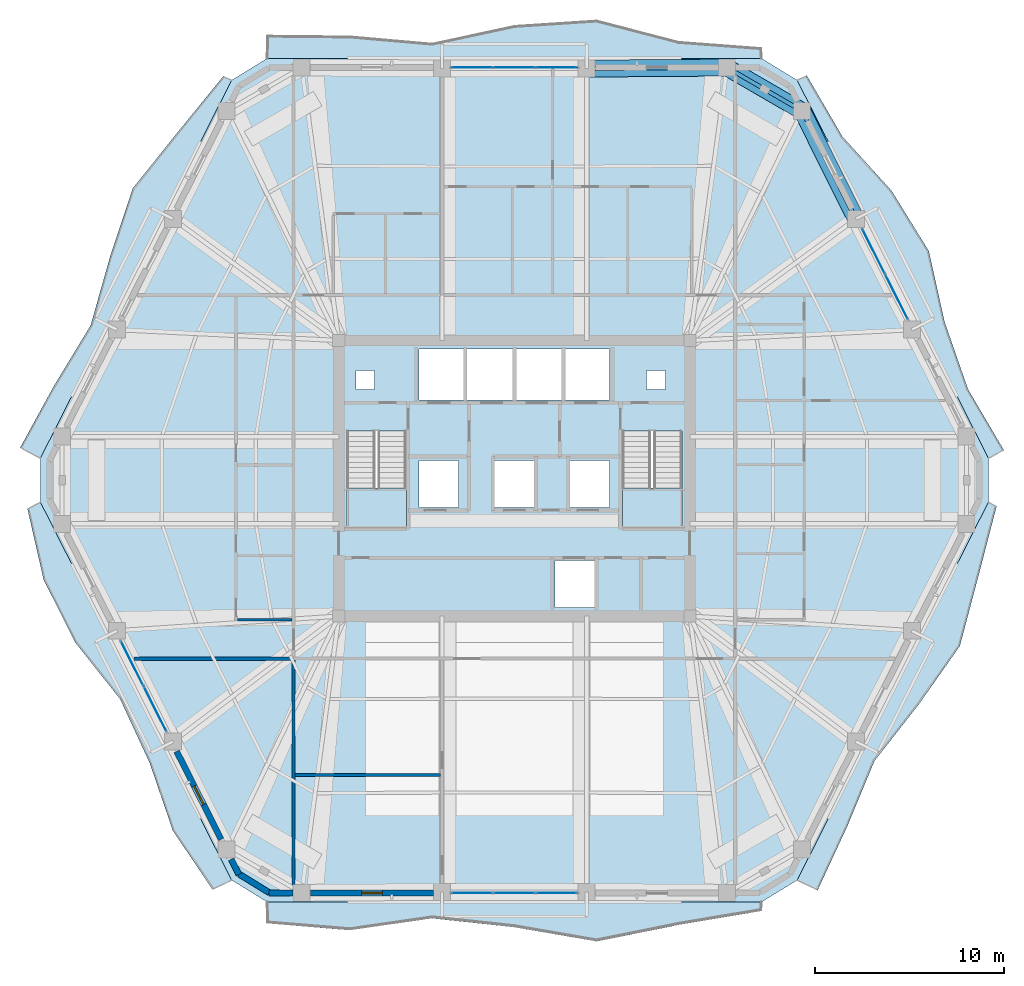
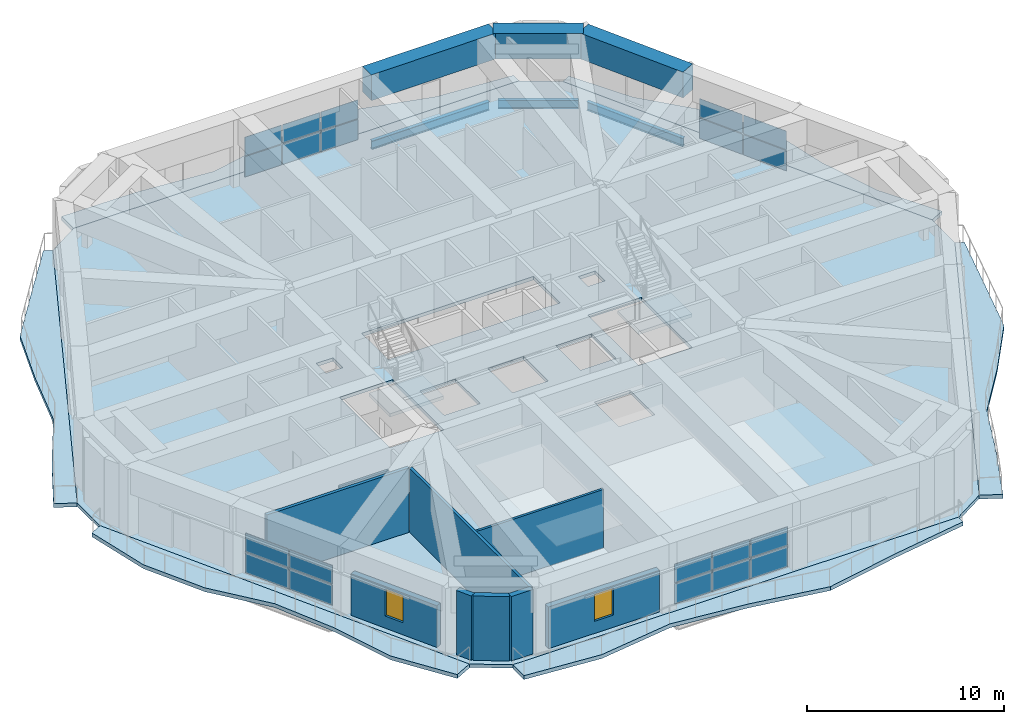
# One storey, part 12 of 20: 20 plates, 9 slabs, 9 walls, 6 beams, 2 windows, 2 openings, 6 elements without a shape of their own.
"""IFC4 building model written with IfcOpenShell, lengths in metres."""

from ifc_helpers import new_model, si_unit, direction, frame, frame_2d, origin, origin_2d, place, context, subcontext, project, spatial, polyline, rectangle, i_section, outline, extrude, material, layer, layer_set, material_profile, profile_set, type_object, element, fill, aggregate, save


model = new_model("IFC4")

# Units and contexts
model_context = context("Model", 3, precision=1e-05, world=origin(), true_north=direction((0.0, 1.0)))
body_context = subcontext(model_context, "Body", "Model", "MODEL_VIEW")
ifc_project = project(units=[si_unit("LENGTHUNIT", "METRE"), si_unit("AREAUNIT", "SQUARE_METRE"), si_unit("VOLUMEUNIT", "CUBIC_METRE"), si_unit("PLANEANGLEUNIT", "RADIAN"), si_unit("MASSUNIT", "GRAM", prefix="KILO")], contexts=[model_context])

# Site, building, storey
site_placement = place(None, origin())
site = spatial("IfcSite", under=ifc_project, at=site_placement, CompositionType="ELEMENT")
building_placement = place(site_placement, origin())
building = spatial("IfcBuilding", under=site, at=building_placement, Name="Cinnabar Lancet Tower", CompositionType="ELEMENT")
storey_placement = place(building_placement, frame((0.0, 0.0, 167.699951171875)))
storey = spatial("IfcBuildingStorey", under=building, at=storey_placement, Name="L44", CompositionType="ELEMENT", Elevation=167.699951171875)

# Beams
ifc_material_1 = material(Name="Concrete C70/85", Category="concrete")
ifc_material_profile_1 = material_profile(ifc_material_1, rectangle(XDim=0.89990234375, YDim=1.60009765625, at=origin_2d()), Name="RC-BG 900x1600")
ifc_profile_set_1 = profile_set([ifc_material_profile_1], Name="Concrete C70/85")
beam_type_1 = type_object("IfcBeamType", Name="STR-BM-BG-1600", PredefinedType="BEAM", material=ifc_profile_set_1)
beam_1_placement = place(storey_placement, frame((50.489013671875, 39.64501953125, 3.400146484375), z_axis=(-0.445405484245, 0.895328964462, 0.0), x_axis=(-0.895328964462, -0.445405484245, 0.0)))
element("IfcBeam", 1, at=beam_1_placement, inside=storey, type_object=beam_type_1, Name="L45 Setback Outer Ring Girder 11", PredefinedType="BEAM", context=body_context, shape_type="SweptSolid", body=[
    extrude(rectangle(XDim=0.89990234375, YDim=1.60009765625, at=origin_2d()), origin(), (0.0, 0.0, 1.0), 6.37646484375),
])
beam_2_placement = place(storey_placement, frame((47.64892578125, 45.35400390625, 3.400146484375), z_axis=(-0.865173038967, 0.501473441614, 0.0), x_axis=(-0.501473441614, -0.865173038967, 0.0)))
element("IfcBeam", 2, at=beam_2_placement, inside=storey, type_object=beam_type_1, Name="L45 Setback Outer Ring Girder 12", PredefinedType="BEAM", context=body_context, shape_type="SweptSolid", body=[
    extrude(rectangle(XDim=0.89990234375, YDim=1.60009765625, at=origin_2d()), origin(), (0.0, 0.0, 1.0), 4.60009765625),
])
beam_3_placement = place(storey_placement, frame((43.6689453125, 47.660888671875, 3.400146484375), z_axis=(-0.999974627917, -0.007123448699, 0.0), x_axis=(0.007123448699, -0.999974627917, 0.0)))
element("IfcBeam", 3, at=beam_3_placement, inside=storey, type_object=beam_type_1, Name="L45 Setback Outer Ring Girder 13", PredefinedType="BEAM", context=body_context, shape_type="SweptSolid", body=[
    extrude(rectangle(XDim=0.89990234375, YDim=1.60009765625, at=origin_2d()), origin(), (0.0, 0.0, 1.0), 7.437255859375),
])
ifc_material_2 = material(Name="Structural steel S355", Category="steel")
ifc_material_profile_2 = material_profile(ifc_material_2, i_section(OverallWidth=0.209228515625, OverallDepth=0.533203125, WebThickness=0.010009765625, FlangeThickness=0.015625, FilletRadius=0.0126953125, at=origin_2d()), Name="UKB 533x210x92")
ifc_profile_set_2 = profile_set([ifc_material_profile_2], Name="Structural steel S355")
beam_type_2 = type_object("IfcBeamType", Name="STR-BM-SPN-533", PredefinedType="SPANDREL", material=ifc_profile_set_2)
beam_4_placement = place(storey_placement, frame((50.3779296875, 39.868896484375, -0.47705078125), z_axis=(-0.445501068635, 0.89528140707, 0.0), x_axis=(-0.89528140707, -0.445501068635, 0.0)))
element("IfcBeam", 4, at=beam_4_placement, inside=storey, type_object=beam_type_2, Name="L44 Perimeter Spandrel 11", PredefinedType="SPANDREL", context=body_context, shape_type="SweptSolid", body=[
    extrude(i_section(OverallWidth=0.209228515625, OverallDepth=0.533203125, WebThickness=0.010009765625, FlangeThickness=0.015625, FilletRadius=0.0126953125, at=origin_2d()), origin(), (0.0, 0.0, 1.0), 5.87646484375),
])
beam_5_placement = place(storey_placement, frame((47.43310546875, 45.47900390625, -0.47705078125), z_axis=(-0.865138129765, 0.5015336643, 0.0), x_axis=(-0.5015336643, -0.865138129765, 0.0)))
element("IfcBeam", 5, at=beam_5_placement, inside=storey, type_object=beam_type_2, Name="L44 Perimeter Spandrel 12", PredefinedType="SPANDREL", context=body_context, shape_type="SweptSolid", body=[
    extrude(i_section(OverallWidth=0.209228515625, OverallDepth=0.533203125, WebThickness=0.010009765625, FlangeThickness=0.015625, FilletRadius=0.0126953125, at=origin_2d()), origin(), (0.0, 0.0, 1.0), 4.10107421875),
])
beam_6_placement = place(storey_placement, frame((43.4189453125, 47.658935546875, -0.47705078125), z_axis=(-0.999975228682, -0.007038609338, 0.0), x_axis=(0.007038609338, -0.999975228682, 0.0)))
element("IfcBeam", 6, at=beam_6_placement, inside=storey, type_object=beam_type_2, Name="L44 Perimeter Spandrel 13", PredefinedType="SPANDREL", context=body_context, shape_type="SweptSolid", body=[
    extrude(i_section(OverallWidth=0.209228515625, OverallDepth=0.533203125, WebThickness=0.010009765625, FlangeThickness=0.015625, FilletRadius=0.0126953125, at=origin_2d()), origin(), (0.0, 0.0, 1.0), 6.937255859375),
])

# Curtain wall, plates
ifc_material_3 = material(Name="Thermally broken bronze-anodized aluminium and low-E glass", Category="aluminium")
ifc_layer_1 = layer(ifc_material_3, 0.179931640625)
ifc_layer_set_1 = layer_set([ifc_layer_1], Name="Thermally broken bronze-anodized aluminium and low-E glass")
curtain_wall_type = type_object("IfcCurtainWallType", Name="ENV-CW-SYS-03", PredefinedType="NOTDEFINED", material=ifc_layer_set_1)
curtain_wall_1_placement = place(storey_placement, origin())
curtain_wall_1 = element("IfcCurtainWall", 7, at=curtain_wall_1_placement, inside=storey, type_object=curtain_wall_type, Name="L44 Face 1 Feature Curtain Wall", PredefinedType="NOTDEFINED")
ifc_material_4 = material(Name="Double-silver low-E laminated insulated glass unit", Category="glass")
ifc_layer_2 = layer(ifc_material_4, 0.031982421875)
ifc_layer_set_2 = layer_set([ifc_layer_2], Name="Double-silver low-E laminated insulated glass unit")
plate_type = type_object("IfcPlateType", Name="ENV-CW-PNL-32", PredefinedType="CURTAIN_PANEL", material=ifc_layer_set_2)
plate_1_placement = place(storey_placement, frame((30.1630859375, 3.929931640625, 0.06005859375), z_axis=(0.0, 0.0, 1.0), x_axis=(1.0, 0.0, 0.0)))
plate_1 = element("IfcPlate", 8, at=plate_1_placement, type_object=plate_type, Name="CW-03 panel 1.1", PredefinedType="CURTAIN_PANEL", context=body_context, shape_type="SweptSolid", body=[
    extrude(rectangle(XDim=2.162109375, YDim=0.028076171875, at=origin_2d()), origin(), (0.0, 0.0, 1.0), 1.257080078125),
])
plate_2_placement = place(storey_placement, frame((30.1630859375, 3.929931640625, 1.376953125), z_axis=(0.0, 0.0, 1.0), x_axis=(1.0, 0.0, 0.0)))
plate_2 = element("IfcPlate", 9, at=plate_2_placement, type_object=plate_type, Name="CW-03 panel 1.2", PredefinedType="CURTAIN_PANEL", context=body_context, shape_type="SweptSolid", body=[
    extrude(rectangle(XDim=2.162109375, YDim=0.028076171875, at=origin_2d()), origin(), (0.0, 0.0, 1.0), 1.153076171875),
])
plate_3_placement = place(storey_placement, frame((32.39990234375, 3.929931640625, 0.06005859375), z_axis=(0.0, 0.0, 1.0), x_axis=(1.0, 0.0, 0.0)))
plate_3 = element("IfcPlate", 10, at=plate_3_placement, type_object=plate_type, Name="CW-03 panel 2.1", PredefinedType="CURTAIN_PANEL", context=body_context, shape_type="SweptSolid", body=[
    extrude(rectangle(XDim=2.19189453125, YDim=0.028076171875, at=origin_2d()), origin(), (0.0, 0.0, 1.0), 1.257080078125),
])
plate_4_placement = place(storey_placement, frame((32.39990234375, 3.929931640625, 1.376953125), z_axis=(0.0, 0.0, 1.0), x_axis=(1.0, 0.0, 0.0)))
plate_4 = element("IfcPlate", 11, at=plate_4_placement, type_object=plate_type, Name="CW-03 panel 2.2", PredefinedType="CURTAIN_PANEL", context=body_context, shape_type="SweptSolid", body=[
    extrude(rectangle(XDim=2.19189453125, YDim=0.028076171875, at=origin_2d()), origin(), (0.0, 0.0, 1.0), 1.153076171875),
])
plate_5_placement = place(storey_placement, frame((34.636962890625, 3.929931640625, 0.06005859375), z_axis=(0.0, 0.0, 1.0), x_axis=(1.0, 0.0, 0.0)))
plate_5 = element("IfcPlate", 12, at=plate_5_placement, type_object=plate_type, Name="CW-03 panel 3.1", PredefinedType="CURTAIN_PANEL", context=body_context, shape_type="SweptSolid", body=[
    extrude(rectangle(XDim=2.162109375, YDim=0.028076171875, at=origin_2d()), origin(), (0.0, 0.0, 1.0), 1.257080078125),
])
plate_6_placement = place(storey_placement, frame((34.636962890625, 3.929931640625, 1.376953125), z_axis=(0.0, 0.0, 1.0), x_axis=(1.0, 0.0, 0.0)))
plate_6 = element("IfcPlate", 13, at=plate_6_placement, type_object=plate_type, Name="CW-03 panel 3.2", PredefinedType="CURTAIN_PANEL", context=body_context, shape_type="SweptSolid", body=[
    extrude(rectangle(XDim=2.162109375, YDim=0.028076171875, at=origin_2d()), origin(), (0.0, 0.0, 1.0), 1.153076171875),
])
aggregate(curtain_wall_1, [plate_1, plate_2, plate_3, plate_4, plate_5, plate_6])

curtain_wall_2_placement = place(storey_placement, origin())
curtain_wall_2 = element("IfcCurtainWall", 14, at=curtain_wall_2_placement, inside=storey, type_object=curtain_wall_type, Name="L44 Face 3 Feature Curtain Wall", PredefinedType="NOTDEFINED")
plate_7_placement = place(storey_placement, frame((52.642822265625, 35.522216796875, 0.06005859375), z_axis=(0.0, 0.0, 1.0), x_axis=(-0.451423394088, 0.892309878501, 0.0)))
plate_7 = element("IfcPlate", 15, at=plate_7_placement, type_object=plate_type, Name="CW-03 panel 1.1", PredefinedType="CURTAIN_PANEL", context=body_context, shape_type="SweptSolid", body=[
    extrude(rectangle(XDim=2.61474609375, YDim=0.028076171875, at=origin_2d()), origin(), (0.0, 0.0, 1.0), 1.257080078125),
])
plate_8_placement = place(storey_placement, frame((52.642822265625, 35.522216796875, 1.376953125), z_axis=(0.0, 0.0, 1.0), x_axis=(-0.451423394088, 0.892309878501, 0.0)))
plate_8 = element("IfcPlate", 16, at=plate_8_placement, type_object=plate_type, Name="CW-03 panel 1.2", PredefinedType="CURTAIN_PANEL", context=body_context, shape_type="SweptSolid", body=[
    extrude(rectangle(XDim=2.61474609375, YDim=0.028076171875, at=origin_2d()), origin(), (0.0, 0.0, 1.0), 1.153076171875),
])
plate_9_placement = place(storey_placement, frame((51.435302734375, 37.908935546875, 0.06005859375), z_axis=(0.0, 0.0, 1.0), x_axis=(-0.451423394088, 0.892309878501, 0.0)))
plate_9 = element("IfcPlate", 17, at=plate_9_placement, type_object=plate_type, Name="CW-03 panel 2.1", PredefinedType="CURTAIN_PANEL", context=body_context, shape_type="SweptSolid", body=[
    extrude(rectangle(XDim=2.61474609375, YDim=0.028076171875, at=origin_2d()), origin(), (0.0, 0.0, 1.0), 1.257080078125),
])
plate_10_placement = place(storey_placement, frame((51.435302734375, 37.908935546875, 1.376953125), z_axis=(0.0, 0.0, 1.0), x_axis=(-0.451423394088, 0.892309878501, 0.0)))
plate_10 = element("IfcPlate", 18, at=plate_10_placement, type_object=plate_type, Name="CW-03 panel 2.2", PredefinedType="CURTAIN_PANEL", context=body_context, shape_type="SweptSolid", body=[
    extrude(rectangle(XDim=2.61474609375, YDim=0.028076171875, at=origin_2d()), origin(), (0.0, 0.0, 1.0), 1.153076171875),
])
aggregate(curtain_wall_2, [plate_7, plate_8, plate_9, plate_10])

curtain_wall_3_placement = place(storey_placement, origin())
curtain_wall_3 = element("IfcCurtainWall", 19, at=curtain_wall_3_placement, inside=storey, type_object=curtain_wall_type, Name="L44 Face 4 Feature Curtain Wall", PredefinedType="NOTDEFINED")
plate_11_placement = place(storey_placement, frame((34.636962890625, 47.669921875, 0.06005859375), z_axis=(0.0, 0.0, 1.0), x_axis=(-1.0, 0.0, 0.0)))
plate_11 = element("IfcPlate", 20, at=plate_11_placement, type_object=plate_type, Name="CW-03 panel 1.1", PredefinedType="CURTAIN_PANEL", context=body_context, shape_type="SweptSolid", body=[
    extrude(rectangle(XDim=2.162109375, YDim=0.028076171875, at=origin_2d()), origin(), (0.0, 0.0, 1.0), 1.257080078125),
])
plate_12_placement = place(storey_placement, frame((34.636962890625, 47.669921875, 1.376953125), z_axis=(0.0, 0.0, 1.0), x_axis=(-1.0, 0.0, 0.0)))
plate_12 = element("IfcPlate", 21, at=plate_12_placement, type_object=plate_type, Name="CW-03 panel 1.2", PredefinedType="CURTAIN_PANEL", context=body_context, shape_type="SweptSolid", body=[
    extrude(rectangle(XDim=2.162109375, YDim=0.028076171875, at=origin_2d()), origin(), (0.0, 0.0, 1.0), 1.153076171875),
])
plate_13_placement = place(storey_placement, frame((32.39990234375, 47.669921875, 0.06005859375), z_axis=(0.0, 0.0, 1.0), x_axis=(-1.0, 0.0, 0.0)))
plate_13 = element("IfcPlate", 22, at=plate_13_placement, type_object=plate_type, Name="CW-03 panel 2.1", PredefinedType="CURTAIN_PANEL", context=body_context, shape_type="SweptSolid", body=[
    extrude(rectangle(XDim=2.19189453125, YDim=0.028076171875, at=origin_2d()), origin(), (0.0, 0.0, 1.0), 1.257080078125),
])
plate_14_placement = place(storey_placement, frame((32.39990234375, 47.669921875, 1.376953125), z_axis=(0.0, 0.0, 1.0), x_axis=(-1.0, 0.0, 0.0)))
plate_14 = element("IfcPlate", 23, at=plate_14_placement, type_object=plate_type, Name="CW-03 panel 2.2", PredefinedType="CURTAIN_PANEL", context=body_context, shape_type="SweptSolid", body=[
    extrude(rectangle(XDim=2.19189453125, YDim=0.028076171875, at=origin_2d()), origin(), (0.0, 0.0, 1.0), 1.153076171875),
])
plate_15_placement = place(storey_placement, frame((30.1630859375, 47.669921875, 0.06005859375), z_axis=(0.0, 0.0, 1.0), x_axis=(-1.0, 0.0, 0.0)))
plate_15 = element("IfcPlate", 24, at=plate_15_placement, type_object=plate_type, Name="CW-03 panel 3.1", PredefinedType="CURTAIN_PANEL", context=body_context, shape_type="SweptSolid", body=[
    extrude(rectangle(XDim=2.162109375, YDim=0.028076171875, at=origin_2d()), origin(), (0.0, 0.0, 1.0), 1.257080078125),
])
plate_16_placement = place(storey_placement, frame((30.1630859375, 47.669921875, 1.376953125), z_axis=(0.0, 0.0, 1.0), x_axis=(-1.0, 0.0, 0.0)))
plate_16 = element("IfcPlate", 25, at=plate_16_placement, type_object=plate_type, Name="CW-03 panel 3.2", PredefinedType="CURTAIN_PANEL", context=body_context, shape_type="SweptSolid", body=[
    extrude(rectangle(XDim=2.162109375, YDim=0.028076171875, at=origin_2d()), origin(), (0.0, 0.0, 1.0), 1.153076171875),
])
aggregate(curtain_wall_3, [plate_11, plate_12, plate_13, plate_14, plate_15, plate_16])

curtain_wall_4_placement = place(storey_placement, origin())
curtain_wall_4 = element("IfcCurtainWall", 26, at=curtain_wall_4_placement, inside=storey, type_object=curtain_wall_type, Name="L44 Face 6 Feature Curtain Wall", PredefinedType="NOTDEFINED")
plate_17_placement = place(storey_placement, frame((12.1572265625, 16.077880859375, 0.06005859375), z_axis=(0.0, 0.0, 1.0), x_axis=(0.451423394088, -0.892309878501, 0.0)))
plate_17 = element("IfcPlate", 27, at=plate_17_placement, type_object=plate_type, Name="CW-03 panel 1.1", PredefinedType="CURTAIN_PANEL", context=body_context, shape_type="SweptSolid", body=[
    extrude(rectangle(XDim=2.61474609375, YDim=0.028076171875, at=origin_2d()), origin(), (0.0, 0.0, 1.0), 1.257080078125),
])
plate_18_placement = place(storey_placement, frame((12.1572265625, 16.077880859375, 1.376953125), z_axis=(0.0, 0.0, 1.0), x_axis=(0.451423394088, -0.892309878501, 0.0)))
plate_18 = element("IfcPlate", 28, at=plate_18_placement, type_object=plate_type, Name="CW-03 panel 1.2", PredefinedType="CURTAIN_PANEL", context=body_context, shape_type="SweptSolid", body=[
    extrude(rectangle(XDim=2.61474609375, YDim=0.028076171875, at=origin_2d()), origin(), (0.0, 0.0, 1.0), 1.153076171875),
])
plate_19_placement = place(storey_placement, frame((13.36474609375, 13.691162109375, 0.06005859375), z_axis=(0.0, 0.0, 1.0), x_axis=(0.451423394088, -0.892309878501, 0.0)))
plate_19 = element("IfcPlate", 29, at=plate_19_placement, type_object=plate_type, Name="CW-03 panel 2.1", PredefinedType="CURTAIN_PANEL", context=body_context, shape_type="SweptSolid", body=[
    extrude(rectangle(XDim=2.61474609375, YDim=0.028076171875, at=origin_2d()), origin(), (0.0, 0.0, 1.0), 1.257080078125),
])
plate_20_placement = place(storey_placement, frame((13.36474609375, 13.691162109375, 1.376953125), z_axis=(0.0, 0.0, 1.0), x_axis=(0.451423394088, -0.892309878501, 0.0)))
plate_20 = element("IfcPlate", 30, at=plate_20_placement, type_object=plate_type, Name="CW-03 panel 2.2", PredefinedType="CURTAIN_PANEL", context=body_context, shape_type="SweptSolid", body=[
    extrude(rectangle(XDim=2.61474609375, YDim=0.028076171875, at=origin_2d()), origin(), (0.0, 0.0, 1.0), 1.153076171875),
])
aggregate(curtain_wall_4, [plate_17, plate_18, plate_19, plate_20])

# Stair, slab
ifc_material_5 = material(Name="Concrete C40/50", Category="concrete")
stair_type = type_object("IfcStairType", Name="ST-CORE", PredefinedType="HALF_TURN_STAIR", material=ifc_material_5)
stair_1_placement = place(storey_placement, origin())
stair_1 = element("IfcStair", 31, at=stair_1_placement, inside=storey, type_object=stair_type, Name="L44 ST-1", PredefinedType="HALF_TURN_STAIR")
ifc_material_6 = material(Name="Concrete C40/50", Category="concrete")
ifc_layer_3 = layer(ifc_material_6, 0.199951171875)
ifc_layer_set_3 = layer_set([ifc_layer_3], Name="Concrete C40/50")
slab_type_1 = type_object("IfcSlabType", Name="LANDING-CORE", PredefinedType="LANDING", material=ifc_layer_set_3)
slab_1_placement = place(storey_placement, frame((0.0, 0.0, 1.900146484375)))
slab_1 = element("IfcSlab", 32, at=slab_1_placement, type_object=slab_type_1, Name="ST-1 landing 1", PredefinedType="LANDING", context=body_context, shape_type="SweptSolid", body=[
    extrude(outline(polyline([(23.52490234375, 25.375), (23.52490234375, 23.25), (26.675048828125, 23.25), (26.675048828125, 25.375), (23.52490234375, 25.375)])), origin(), (0.0, 0.0, 1.0), 0.199951171875),
])
aggregate(stair_1, [slab_1])

stair_2_placement = place(storey_placement, origin())
stair_2 = element("IfcStair", 33, at=stair_2_placement, inside=storey, type_object=stair_type, Name="L44 ST-2", PredefinedType="HALF_TURN_STAIR")
slab_2_placement = place(storey_placement, frame((0.0, 0.0, 1.900146484375)))
slab_2 = element("IfcSlab", 34, at=slab_2_placement, type_object=slab_type_1, Name="ST-2 landing 1", PredefinedType="LANDING", context=body_context, shape_type="SweptSolid", body=[
    extrude(outline(polyline([(38.125, 25.375), (38.125, 23.25), (41.27490234375, 23.25), (41.27490234375, 25.375), (38.125, 25.375)])), origin(), (0.0, 0.0, 1.0), 0.199951171875),
])
aggregate(stair_2, [slab_2])

# Slabs
ifc_material_7 = material(Name="Concrete C40/50", Category="concrete")
ifc_layer_4 = layer(ifc_material_7, 0.2099609375)
ifc_layer_set_4 = layer_set([ifc_layer_4], Name="Concrete C40/50")
slab_type_2 = type_object("IfcSlabType", Name="STR-SLB-FLR-210", PredefinedType="FLOOR", material=ifc_layer_set_4)
slab_3_placement = place(storey_placement, frame((0.0, 0.0, -0.2099609375)))
element("IfcSlab", 35, at=slab_3_placement, inside=storey, type_object=slab_type_2, Name="L44 Structural Floor Slab", PredefinedType="FLOOR", context=body_context, shape_type="SweptSolid", body=[
    extrude(outline(polyline([(17.4208984375, 4.610107421875), (19.30810546875, 3.449951171875), (45.491943359375, 3.449951171875), (47.37890625, 4.610107421875), (57.512939453125, 24.639892578125), (57.512939453125, 26.9599609375), (47.37890625, 46.989990234375), (45.491943359375, 48.14990234375), (19.30810546875, 48.14990234375), (17.4208984375, 46.989990234375), (7.287109375, 26.9599609375), (7.287109375, 24.639892578125), (17.4208984375, 4.610107421875)]), holes=[polyline([(23.52490234375, 23.25), (26.675048828125, 23.25), (26.675048828125, 28.3994140625), (23.52490234375, 28.3994140625), (23.52490234375, 23.25)]), polyline([(38.125, 23.25), (41.27490234375, 23.25), (41.27490234375, 28.3994140625), (38.125, 28.3994140625), (38.125, 23.25)]), polyline([(27.35009765625, 30.050048828125), (37.449951171875, 30.050048828125), (37.449951171875, 32.75), (27.35009765625, 32.75), (27.35009765625, 30.050048828125)]), polyline([(34.550048828125, 19.050048828125), (36.64990234375, 19.050048828125), (36.64990234375, 21.550048828125), (34.550048828125, 21.550048828125), (34.550048828125, 19.050048828125)]), polyline([(27.35009765625, 24.35009765625), (29.449951171875, 24.35009765625), (29.449951171875, 26.85009765625), (27.35009765625, 26.85009765625), (27.35009765625, 24.35009765625)]), polyline([(35.35009765625, 24.35009765625), (37.449951171875, 24.35009765625), (37.449951171875, 26.85009765625), (35.35009765625, 26.85009765625), (35.35009765625, 24.35009765625)]), polyline([(31.35009765625, 24.35009765625), (33.449951171875, 24.35009765625), (33.449951171875, 26.85009765625), (31.35009765625, 26.85009765625), (31.35009765625, 24.35009765625)]), polyline([(24.0, 30.60009765625), (25.0, 30.60009765625), (25.0, 31.60009765625), (24.0, 31.60009765625), (24.0, 30.60009765625)]), polyline([(39.39990234375, 30.60009765625), (40.39990234375, 30.60009765625), (40.39990234375, 31.60009765625), (39.39990234375, 31.60009765625), (39.39990234375, 30.60009765625)])]), origin(), (0.0, 0.0, 1.0), 0.2099609375),
])
ifc_material_8 = material(Name="Concrete C45/55", Category="concrete")
ifc_layer_5 = layer(ifc_material_8, 0.239990234375)
ifc_layer_set_5 = layer_set([ifc_layer_5], Name="Concrete C45/55")
slab_type_3 = type_object("IfcSlabType", Name="STR-SLB-WAV-240", PredefinedType="FLOOR", material=ifc_layer_set_5)
slab_4_placement = place(storey_placement, frame((0.0, 0.0, -0.239990234375)))
element("IfcSlab", 36, at=slab_4_placement, inside=storey, type_object=slab_type_3, Name="L44 Face 1 Undulating Wave Balcony Slab", PredefinedType="FLOOR", context=body_context, shape_type="SweptSolid", body=[
    extrude(outline(polyline([(19.30810546875, 3.449951171875), (19.30810546875, 2.322021484375), (23.672119140625, 1.9599609375), (28.035888671875, 2.587890625), (32.39990234375, 2.117919921875), (36.763916015625, 1.364990234375), (41.1279296875, 2.248046875), (45.491943359375, 2.97998046875), (45.491943359375, 3.449951171875), (19.30810546875, 3.449951171875)])), origin(), (0.0, 0.0, 1.0), 0.239990234375),
])
slab_5_placement = place(storey_placement, frame((0.0, 0.0, -0.239990234375)))
element("IfcSlab", 37, at=slab_5_placement, inside=storey, type_object=slab_type_3, Name="L44 Face 2 Undulating Wave Balcony Slab", PredefinedType="FLOOR", context=body_context, shape_type="SweptSolid", body=[
    extrude(outline(polyline([(47.37890625, 4.610107421875), (48.4560546875, 4.06494140625), (50.031982421875, 7.4609375), (51.472900390625, 10.924072265625), (53.824951171875, 13.927001953125), (56.0, 17.02001953125), (56.97998046875, 20.717041015625), (57.945068359375, 24.422119140625), (57.512939453125, 24.639892578125), (47.37890625, 4.610107421875)])), origin(), (0.0, 0.0, 1.0), 0.239990234375),
])
slab_6_placement = place(storey_placement, frame((0.0, 0.0, -0.239990234375)))
element("IfcSlab", 38, at=slab_6_placement, inside=storey, type_object=slab_type_3, Name="L44 Face 3 Undulating Wave Balcony Slab", PredefinedType="FLOOR", context=body_context, shape_type="SweptSolid", body=[
    extrude(outline(polyline([(57.512939453125, 26.9599609375), (58.337890625, 27.3779296875), (56.43505859375, 30.60693359375), (55.194091796875, 34.172119140625), (54.35400390625, 37.93994140625), (52.381103515625, 41.135009765625), (49.77294921875, 44.008056640625), (47.886962890625, 47.2470703125), (47.37890625, 46.989990234375), (57.512939453125, 26.9599609375)])), origin(), (0.0, 0.0, 1.0), 0.239990234375),
])
slab_7_placement = place(storey_placement, frame((0.0, 0.0, -0.239990234375)))
element("IfcSlab", 39, at=slab_7_placement, inside=storey, type_object=slab_type_3, Name="L44 Face 4 Undulating Wave Balcony Slab", PredefinedType="FLOOR", context=body_context, shape_type="SweptSolid", body=[
    extrude(outline(polyline([(45.491943359375, 48.14990234375), (45.491943359375, 48.715087890625), (41.1279296875, 49.0458984375), (36.763916015625, 50.179931640625), (32.39990234375, 49.89501953125), (28.035888671875, 48.95703125), (23.672119140625, 49.3330078125), (19.30810546875, 49.3720703125), (19.30810546875, 48.14990234375), (45.491943359375, 48.14990234375)])), origin(), (0.0, 0.0, 1.0), 0.239990234375),
])
slab_8_placement = place(storey_placement, frame((0.0, 0.0, -0.239990234375)))
element("IfcSlab", 40, at=slab_8_placement, inside=storey, type_object=slab_type_3, Name="L44 Face 5 Undulating Wave Balcony Slab", PredefinedType="FLOOR", context=body_context, shape_type="SweptSolid", body=[
    extrude(outline(polyline([(17.4208984375, 46.989990234375), (16.987060546875, 47.208984375), (14.56689453125, 44.240966796875), (12.178955078125, 41.257080078125), (10.987060546875, 37.6669921875), (9.949951171875, 33.9990234375), (8.00390625, 30.7900390625), (6.2080078125, 27.506103515625), (7.287109375, 26.9599609375), (17.4208984375, 46.989990234375)])), origin(), (0.0, 0.0, 1.0), 0.239990234375),
])
slab_9_placement = place(storey_placement, frame((0.0, 0.0, -0.239990234375)))
element("IfcSlab", 41, at=slab_9_placement, inside=storey, type_object=slab_type_3, Name="L44 Face 6 Undulating Wave Balcony Slab", PredefinedType="FLOOR", context=body_context, shape_type="SweptSolid", body=[
    extrude(outline(polyline([(7.287109375, 24.639892578125), (6.60205078125, 24.29296875), (7.4580078125, 20.533935546875), (9.14306640625, 17.193115234375), (11.51611328125, 14.200927734375), (13.0859375, 10.802978515625), (14.30908203125, 7.22802734375), (16.4189453125, 4.10302734375), (17.4208984375, 4.610107421875), (7.287109375, 24.639892578125)])), origin(), (0.0, 0.0, 1.0), 0.239990234375),
])

# Walls
ifc_material_9 = material(Name="Acoustic twin-stud gypsum partition", Category="gypsum")
ifc_layer_6 = layer(ifc_material_9, 0.159912109375)
ifc_layer_set_6 = layer_set([ifc_layer_6], Name="Acoustic twin-stud gypsum partition")
wall_type_1 = type_object("IfcWallType", Name="ARC-WL-CORR-160", PredefinedType="PARTITIONING", material=ifc_layer_set_6)
wall_1_placement = place(storey_placement, frame((20.699951171875, 4.014892578125, 0.0), z_axis=(0.0, 0.0, 1.0), x_axis=(0.0, 1.0, 0.0)))
element("IfcWall", 42, at=wall_1_placement, inside=storey, type_object=wall_type_1, Name="PW-L44-SLW", PredefinedType="PARTITIONING", context=body_context, shape_type="SweptSolid", body=[
    extrude(rectangle(XDim=12.25, YDim=0.159912109375, at=frame_2d((6.125, 0.0))), origin(), (0.0, 0.0, 1.0), 4.0),
])
ifc_material_10 = material(Name="Fire-rated twin-frame acoustic drywall", Category="gypsum")
ifc_layer_7 = layer(ifc_material_10, 0.179931640625)
ifc_layer_set_7 = layer_set([ifc_layer_7], Name="Fire-rated twin-frame acoustic drywall")
wall_type_2 = type_object("IfcWallType", Name="ARC-WL-PARTY-180", PredefinedType="PARTITIONING", material=ifc_layer_set_7)
wall_2_placement = place(storey_placement, frame((12.25, 16.35009765625, 0.0), z_axis=(0.0, 0.0, 1.0), x_axis=(1.0, 0.0, 0.0)))
element("IfcWall", 43, at=wall_2_placement, inside=storey, type_object=wall_type_2, Name="PW-L44-WSB", PredefinedType="PARTITIONING", context=body_context, shape_type="SweptSolid", body=[
    extrude(rectangle(XDim=8.364990234375, YDim=0.179931640625, at=frame_2d((4.1826171875, 0.0))), origin(), (0.0, 0.0, 1.0), 4.0),
])
ifc_material_11 = material(Name="Gypsum plasterboard stud partition", Category="gypsum")
ifc_layer_8 = layer(ifc_material_11, 0.125)
ifc_layer_set_8 = layer_set([ifc_layer_8], Name="Gypsum plasterboard stud partition")
wall_type_3 = type_object("IfcWallType", Name="ARC-WL-UNIT-125", PredefinedType="PARTITIONING", material=ifc_layer_set_8)
wall_3_placement = place(storey_placement, frame((17.735107421875, 18.39990234375, 0.0), z_axis=(0.0, 0.0, 1.0), x_axis=(1.0, 0.0, 0.0)))
element("IfcWall", 44, at=wall_3_placement, inside=storey, type_object=wall_type_3, Name="UW-L44-W01-FOYN", PredefinedType="PARTITIONING", context=body_context, shape_type="SweptSolid", body=[
    extrude(rectangle(XDim=2.8798828125, YDim=0.125, at=frame_2d((1.43994140625, 0.0))), origin(), (0.0, 0.0, 1.0), 2.590087890625),
])
ifc_material_12 = material(Name="Moisture-resistant cement-board plumbing wall", Category="masonry")
ifc_layer_9 = layer(ifc_material_12, 0.139892578125)
ifc_layer_set_9 = layer_set([ifc_layer_9], Name="Moisture-resistant cement-board plumbing wall")
wall_type_4 = type_object("IfcWallType", Name="ARC-WL-WET-140", PredefinedType="PLUMBINGWALL", material=ifc_layer_set_9)
wall_4_placement = place(storey_placement, frame((20.784912109375, 10.18310546875, 0.0), z_axis=(0.0, 0.0, 1.0), x_axis=(1.0, 0.0, 0.0)))
element("IfcWall", 45, at=wall_4_placement, inside=storey, type_object=wall_type_4, Name="PW-L44-SLWCM", PredefinedType="PLUMBINGWALL", context=body_context, shape_type="SweptSolid", body=[
    extrude(rectangle(XDim=7.7080078125, YDim=0.139892578125, at=frame_2d((3.85400390625, 0.0))), origin(), (0.0, 0.0, 1.0), 3.635009765625),
])
ifc_material_13 = material(Name="Warm buff clay brick", Category="masonry")
ifc_layer_10 = layer(ifc_material_13, 0.320068359375)
ifc_layer_set_10 = layer_set([ifc_layer_10], Name="Warm buff clay brick")
wall_type_5 = type_object("IfcWallType", Name="ENV-WL-BRK-BUF-320", PredefinedType="STANDARD", material=ifc_layer_set_10)
wall_5_placement = place(storey_placement, frame((17.826904296875, 4.924072265625, 0.0), z_axis=(0.0, 0.0, 1.0), x_axis=(0.851943281993, -0.523634074777, 0.0)))
element("IfcWall", 46, at=wall_5_placement, inside=storey, type_object=wall_type_5, Name="L44 Chamfered Corner Brick Pier 1.1", PredefinedType="STANDARD", context=body_context, shape_type="SweptSolid", body=[
    extrude(rectangle(XDim=1.852294921875, YDim=0.320068359375, at=frame_2d((0.92626953125, 0.0))), origin(), (0.0, 0.0, 1.0), 4.0),
])
wall_6_placement = place(storey_placement, frame((19.39990234375, 3.929931640625, 0.0), z_axis=(0.0, 0.0, 1.0), x_axis=(1.0, 0.0, 0.0)))
element("IfcWall", 47, at=wall_6_placement, inside=storey, type_object=wall_type_5, Name="L44 Face 1 Masonry Bay Wall 1", PredefinedType="STANDARD", context=body_context, shape_type="SweptSolid", body=[
    extrude(rectangle(XDim=1.277099609375, YDim=0.320068359375, at=frame_2d((0.638671875, 0.0))), origin(), (0.0, 0.0, 1.0), 4.0),
])

# Wall, opening, window
wall_7_placement = place(storey_placement, frame((21.5849609375, 3.929931640625, 0.0), z_axis=(0.0, 0.0, 1.0), x_axis=(1.0, 0.0, 0.0)))
wall_7 = element("IfcWall", 48, at=wall_7_placement, inside=storey, type_object=wall_type_5, Name="L44 Face 1 Masonry Bay Wall 2", PredefinedType="STANDARD", context=body_context, shape_type="SweptSolid", body=[
    extrude(rectangle(XDim=6.529052734375, YDim=0.320068359375, at=frame_2d((3.2646484375, 0.0))), origin(), (0.0, 0.0, 1.0), 2.590087890625),
])
opening_1_placement = place(wall_7_placement, frame((2.715087890625, 0.0, 0.75)))
opening_1 = element("IfcOpeningElement", 49, at=opening_1_placement, cuts=wall_7, Name="Opening WN-04", PredefinedType="OPENING", context=body_context, shape_type="SweptSolid", body=[
    extrude(rectangle(XDim=1.10009765625, YDim=1.68994140625, at=frame_2d((0.550048828125, 0.844970703125))), frame((0.0, 0.169921875, 0.0), z_axis=(0.0, -1.0, 0.0), x_axis=(1.0, 0.0, 0.0)), (0.0, 0.0, 1.0), 0.340087890625),
])
ifc_material_14 = material(Name="Thermally broken bronze-anodized aluminium tall lancet window", Category="aluminium")
window_type = type_object("IfcWindowType", Name="ENV-WN-LANCET-1100", PartitioningType="SINGLE_PANEL", PredefinedType="WINDOW", material=ifc_material_14)
window_1_placement = place(opening_1_placement, origin())
window_1 = element("IfcWindow", 50, at=window_1_placement, inside=storey, type_object=window_type, Name="L44 Face 1 Gothic Lancet Window 4", OverallHeight=1.68994140625, OverallWidth=1.10009765625, PartitioningType="SINGLE_PANEL", PredefinedType="WINDOW", context=body_context, shape_type="SweptSolid", body=[
    extrude(rectangle(XDim=1.10009765625, YDim=1.68994140625, at=frame_2d((0.550048828125, 0.844970703125))), frame((0.0, 0.030029296875, 0.0), z_axis=(0.0, -1.0, 0.0), x_axis=(1.0, 0.0, 0.0)), (0.0, 0.0, 1.0), 0.06005859375),
])
fill(opening_1, window_1)

wall_8_placement = place(storey_placement, frame((14.509033203125, 11.428955078125, 0.0), z_axis=(0.0, 0.0, 1.0), x_axis=(0.451418764337, -0.892312220697, 0.0)))
wall_8 = element("IfcWall", 51, at=wall_8_placement, inside=storey, type_object=wall_type_5, Name="L44 Face 6 Masonry Bay Wall 4", PredefinedType="STANDARD", context=body_context, shape_type="SweptSolid", body=[
    extrude(rectangle(XDim=5.218994140625, YDim=0.320068359375, at=frame_2d((2.609375, 0.0))), origin(), (0.0, 0.0, 1.0), 2.590087890625),
])
opening_2_placement = place(wall_8_placement, frame((2.06005859375, 0.0, 0.75)))
opening_2 = element("IfcOpeningElement", 52, at=opening_2_placement, cuts=wall_8, Name="Opening WN-04", PredefinedType="OPENING", context=body_context, shape_type="SweptSolid", body=[
    extrude(rectangle(XDim=1.10009765625, YDim=1.68994140625, at=frame_2d((0.550048828125, 0.844970703125))), frame((0.0, 0.169921875, 0.0), z_axis=(0.0, -1.0, 0.0), x_axis=(1.0, 0.0, 0.0)), (0.0, 0.0, 1.0), 0.340087890625),
])
window_2_placement = place(opening_2_placement, origin())
window_2 = element("IfcWindow", 53, at=window_2_placement, inside=storey, type_object=window_type, Name="L44 Face 6 Gothic Lancet Window 4", OverallHeight=1.68994140625, OverallWidth=1.10009765625, PartitioningType="SINGLE_PANEL", PredefinedType="WINDOW", context=body_context, shape_type="SweptSolid", body=[
    extrude(rectangle(XDim=1.10009765625, YDim=1.68994140625, at=frame_2d((0.550048828125, 0.844970703125))), frame((0.0, 0.030029296875, 0.0), z_axis=(0.0, -1.0, 0.0), x_axis=(1.0, 0.0, 0.0)), (0.0, 0.0, 1.0), 0.06005859375),
])
fill(opening_2, window_2)

# Wall
wall_9_placement = place(storey_placement, frame((17.39794921875, 5.719970703125, 0.0), z_axis=(0.0, 0.0, 1.0), x_axis=(0.451292054135, -0.892376311807, 0.0)))
element("IfcWall", 54, at=wall_9_placement, inside=storey, type_object=wall_type_5, Name="L44 Face 6 Masonry Bay Wall 5", PredefinedType="STANDARD", context=body_context, shape_type="SweptSolid", body=[
    extrude(rectangle(XDim=0.908935546875, YDim=0.320068359375, at=frame_2d((0.45458984375, 0.0))), origin(), (0.0, 0.0, 1.0), 4.0),
])

save(model, "model.ifc")
